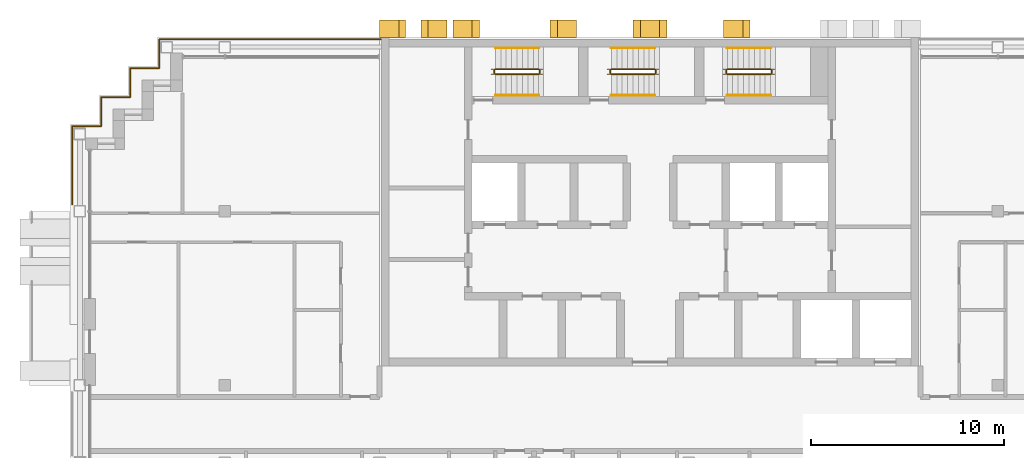
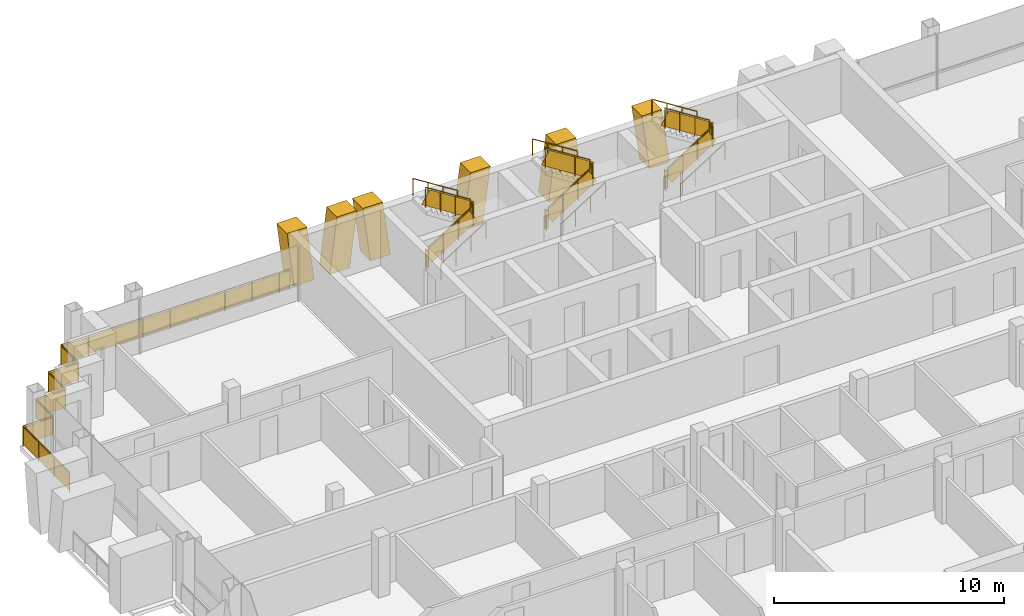
# One storey, part 14 of 15: 21 railings, 6 shading devices.
"""IFC4 building model written with IfcOpenShell, lengths in metres."""

from ifc_helpers import new_model, si_unit, direction, frame, origin, origin_2d, place, context, subcontext, project, spatial, polyline, rectangle, circle, outline, extrude, material, layer, layer_set, type_object, element, save


model = new_model("IFC4")

# Units and contexts
model_context = context("Model", 3, precision=1e-05, world=origin(), true_north=direction((0.0, 1.0)))
body_context = subcontext(model_context, "Body", "Model", "MODEL_VIEW")
ifc_project = project(units=[si_unit("LENGTHUNIT", "METRE"), si_unit("AREAUNIT", "SQUARE_METRE"), si_unit("VOLUMEUNIT", "CUBIC_METRE"), si_unit("PLANEANGLEUNIT", "RADIAN"), si_unit("MASSUNIT", "GRAM", prefix="KILO")], contexts=[model_context])

# Site, building, storey
site_placement = place(None, origin())
site = spatial("IfcSite", under=ifc_project, at=site_placement, CompositionType="ELEMENT")
building_placement = place(site_placement, origin())
building = spatial("IfcBuilding", under=site, at=building_placement, Name="Vidyagriha Tower", CompositionType="ELEMENT")
storey_placement = place(building_placement, frame((0.0, 0.0, 226.800048828125)))
storey = spatial("IfcBuildingStorey", under=building, at=storey_placement, Name="L59", CompositionType="ELEMENT", Elevation=226.800048828125)

# Shading devices
ifc_material_1 = material(Name="Precast concrete C40/50 with brick facing", Category="concrete")
ifc_layer_1 = layer(ifc_material_1, 1.0)
ifc_layer_set_1 = layer_set([ifc_layer_1], Name="Precast concrete C40/50 with brick facing")
shading_device_type_1 = type_object("IfcShadingDeviceType", Name="Brick-faced rear rib arm leaning 8 degrees", PredefinedType="USERDEFINED", material=ifc_layer_set_1)
for number, where, z_axis, x_axis, name in (
    (1, (5.185791015625, 20.449951171875, 0.0), (0.0, 0.0, 1.0), (-1.0, 0.0, 0.0), "Rear rib arm L59 R08.2a"),
    (2, (-8.814208984375, 20.449951171875, 0.0), (0.0, 0.0, 1.0), (-1.0, 0.0, 0.0), "Rear rib arm L59 R08.4a"),
):
    element("IfcShadingDevice", number, at=place(storey_placement, frame(where, z_axis=z_axis, x_axis=x_axis)), inside=storey, type_object=shading_device_type_1, Name=name, ObjectType="BLADE FIN", PredefinedType="USERDEFINED", context=body_context, shape_type="SweptSolid", body=[
        extrude(outline(polyline([(0.0, 0.0), (1.0, 0.0), (1.3857421875, 2.919921875), (0.3857421875, 2.919921875), (0.0, 0.0)])), frame((0.0, 0.449951171875, 0.0), z_axis=(0.0, -1.0, 0.0), x_axis=(1.0, 0.0, 0.0)), (0.0, 0.0, 1.0), 0.89990234375),
    ])
shading_device_1_placement = place(storey_placement, frame((-3.800048828125, 20.449951171875, 0.0), z_axis=(0.0, 0.0, 1.0), x_axis=(-1.0, 0.0, 0.0)))
element("IfcShadingDevice", 3, at=shading_device_1_placement, inside=storey, type_object=shading_device_type_1, Name="Rear rib arm L59 R08.4b", ObjectType="BLADE FIN", PredefinedType="USERDEFINED", context=body_context, shape_type="SweptSolid", body=[
    extrude(outline(polyline([(0.3857421875, 0.0), (1.3857421875, 0.0), (1.0, 2.919921875), (0.0, 2.919921875), (0.3857421875, 0.0)])), frame((0.0, 0.449951171875, 0.0), z_axis=(0.0, -1.0, 0.0), x_axis=(1.0, 0.0, 0.0)), (0.0, 0.0, 1.0), 0.89990234375),
])
shading_device_2_placement = place(storey_placement, frame((-12.642822265625, 20.449951171875, 0.0), z_axis=(0.0, 0.0, 1.0), x_axis=(-1.0, 0.0, 0.0)))
element("IfcShadingDevice", 4, at=shading_device_2_placement, inside=storey, type_object=shading_device_type_1, Name="Rear rib arm L59 R08.5a", ObjectType="BLADE FIN", PredefinedType="USERDEFINED", context=body_context, shape_type="SweptSolid", body=[
    extrude(outline(polyline([(0.0, 0.0), (1.0, 0.0), (1.357177734375, 2.919921875), (0.357177734375, 2.919921875), (0.0, 0.0)])), frame((0.0, 0.449951171875, 0.0), z_axis=(0.0, -1.0, 0.0), x_axis=(1.0, 0.0, 0.0)), (0.0, 0.0, 1.0), 0.89990234375),
])
shading_device_3_placement = place(storey_placement, frame((-10.5, 20.449951171875, 0.0), z_axis=(0.0, 0.0, 1.0), x_axis=(-1.0, 0.0, 0.0)))
element("IfcShadingDevice", 5, at=shading_device_3_placement, inside=storey, type_object=shading_device_type_1, Name="Rear rib arm L59 R08.5b", ObjectType="BLADE FIN", PredefinedType="USERDEFINED", context=body_context, shape_type="SweptSolid", body=[
    extrude(outline(polyline([(0.357177734375, 0.0), (1.357177734375, 0.0), (1.0, 2.919921875), (0.0, 2.919921875), (0.357177734375, 0.0)])), frame((0.0, 0.449951171875, 0.0), z_axis=(0.0, -1.0, 0.0), x_axis=(1.0, 0.0, 0.0)), (0.0, 0.0, 1.0), 0.89990234375),
])
ifc_material_2 = material(Name="Precast concrete C40/50 with brick facing", Category="concrete")
ifc_layer_2 = layer(ifc_material_2, 1.0)
ifc_layer_set_2 = layer_set([ifc_layer_2], Name="Precast concrete C40/50 with brick facing")
shading_device_type_2 = type_object("IfcShadingDeviceType", Name="Brick-faced rear rib forking 8 degrees", PredefinedType="USERDEFINED", material=ifc_layer_set_2)
shading_device_4_placement = place(storey_placement, frame((0.8857421875, 20.449951171875, 0.0), z_axis=(0.0, 0.0, 1.0), x_axis=(-1.0, 0.0, 0.0)))
element("IfcShadingDevice", 6, at=shading_device_4_placement, inside=storey, type_object=shading_device_type_2, Name="Rear rib fork L59 R08.3a", ObjectType="BLADE FIN", PredefinedType="USERDEFINED", context=body_context, shape_type="SweptSolid", body=[
    extrude(outline(polyline([(0.0, 0.0), (1.771484375, 0.0), (1.3857421875, 2.919921875), (0.3857421875, 2.919921875), (0.0, 0.0)])), frame((0.0, 0.449951171875, 0.0), z_axis=(0.0, -1.0, 0.0), x_axis=(1.0, 0.0, 0.0)), (0.0, 0.0, 1.0), 0.89990234375),
])

# Railings
ifc_material_3 = material(Name="Steel ASTM A500 Grade C black painted", Category="steel")
railing_type_1 = type_object("IfcRailingType", Name="Gallery guard 1100", PredefinedType="GUARDRAIL", material=ifc_material_3)
railing_1_placement = place(storey_placement, frame((-29.89990234375, 11.360107421875, 0.0)))
element("IfcRailing", 7, at=railing_1_placement, inside=storey, type_object=railing_type_1, Name="Gallery guard L59 4", PredefinedType="GUARDRAIL", context=body_context, shape_type="SweptSolid", body=[
    extrude(circle(Radius=0.02490234375, at=origin_2d()), frame((0.0, 0.0, 1.0751953125), z_axis=(0.0, 1.0, 0.0), x_axis=(-1.0, 0.0, 0.0)), (0.0, 0.0, 1.0), 4.039794921875),
    extrude(circle(Radius=0.02490234375, at=origin_2d()), frame((0.0, 4.039794921875, 1.0751953125), z_axis=(1.0, 0.0, 0.0), x_axis=(0.0, 1.0, 0.0)), (0.0, 0.0, 1.0), 1.5),
    extrude(circle(Radius=0.02490234375, at=origin_2d()), frame((1.5, 4.039794921875, 1.0751953125), z_axis=(0.0, 1.0, 0.0), x_axis=(-1.0, 0.0, 0.0)), (0.0, 0.0, 1.0), 1.5),
    extrude(circle(Radius=0.02490234375, at=origin_2d()), frame((1.5, 5.539794921875, 1.0751953125), z_axis=(1.0, 0.0, 0.0), x_axis=(0.0, 1.0, 0.0)), (0.0, 0.0, 1.0), 1.5),
    extrude(circle(Radius=0.02490234375, at=origin_2d()), frame((3.0, 5.539794921875, 1.0751953125), z_axis=(0.0, 1.0, 0.0), x_axis=(-1.0, 0.0, 0.0)), (0.0, 0.0, 1.0), 1.5),
    extrude(circle(Radius=0.02490234375, at=origin_2d()), frame((3.0, 7.039794921875, 1.0751953125), z_axis=(1.0, 0.0, 0.0), x_axis=(0.0, 1.0, 0.0)), (0.0, 0.0, 1.0), 1.5),
    extrude(circle(Radius=0.02490234375, at=origin_2d()), frame((4.5, 7.039794921875, 1.0751953125), z_axis=(0.0, 1.0, 0.0), x_axis=(-1.0, 0.0, 0.0)), (0.0, 0.0, 1.0), 0.460205078125),
    extrude(circle(Radius=0.02001953125, at=origin_2d()), origin(), (0.0, 0.0, 1.0), 1.050048828125),
    extrude(circle(Radius=0.02001953125, at=origin_2d()), frame((0.0, 1.3466796875, 0.0)), (0.0, 0.0, 1.0), 1.050048828125),
    extrude(circle(Radius=0.02001953125, at=origin_2d()), frame((0.0, 2.693115234375, 0.0)), (0.0, 0.0, 1.0), 1.050048828125),
    extrude(circle(Radius=0.02001953125, at=origin_2d()), frame((0.0, 4.039794921875, 0.0)), (0.0, 0.0, 1.0), 1.050048828125),
    extrude(circle(Radius=0.02001953125, at=origin_2d()), frame((1.5, 4.039794921875, 0.0)), (0.0, 0.0, 1.0), 1.050048828125),
    extrude(circle(Radius=0.02001953125, at=origin_2d()), frame((1.5, 5.539794921875, 0.0)), (0.0, 0.0, 1.0), 1.050048828125),
    extrude(circle(Radius=0.02001953125, at=origin_2d()), frame((3.0, 5.539794921875, 0.0)), (0.0, 0.0, 1.0), 1.050048828125),
    extrude(circle(Radius=0.02001953125, at=origin_2d()), frame((3.0, 7.039794921875, 0.0)), (0.0, 0.0, 1.0), 1.050048828125),
    extrude(circle(Radius=0.02001953125, at=origin_2d()), frame((4.5, 7.039794921875, 0.0)), (0.0, 0.0, 1.0), 1.050048828125),
    extrude(circle(Radius=0.02001953125, at=origin_2d()), frame((4.5, 7.5, 0.0)), (0.0, 0.0, 1.0), 1.050048828125),
    extrude(rectangle(XDim=0.010009765625, YDim=0.900146484375, at=origin_2d()), frame((0.0, 0.0, 0.550048828125), z_axis=(0.0, 1.0, 0.0), x_axis=(-1.0, 0.0, 0.0)), (0.0, 0.0, 1.0), 4.039794921875),
    extrude(rectangle(XDim=0.010009765625, YDim=0.900146484375, at=origin_2d()), frame((0.0, 4.039794921875, 0.550048828125), z_axis=(1.0, 0.0, 0.0), x_axis=(0.0, 1.0, 0.0)), (0.0, 0.0, 1.0), 1.5),
    extrude(rectangle(XDim=0.010009765625, YDim=0.900146484375, at=origin_2d()), frame((1.5, 4.039794921875, 0.550048828125), z_axis=(0.0, 1.0, 0.0), x_axis=(-1.0, 0.0, 0.0)), (0.0, 0.0, 1.0), 1.5),
    extrude(rectangle(XDim=0.010009765625, YDim=0.900146484375, at=origin_2d()), frame((1.5, 5.539794921875, 0.550048828125), z_axis=(1.0, 0.0, 0.0), x_axis=(0.0, 1.0, 0.0)), (0.0, 0.0, 1.0), 1.5),
    extrude(rectangle(XDim=0.010009765625, YDim=0.900146484375, at=origin_2d()), frame((3.0, 5.539794921875, 0.550048828125), z_axis=(0.0, 1.0, 0.0), x_axis=(-1.0, 0.0, 0.0)), (0.0, 0.0, 1.0), 1.5),
    extrude(rectangle(XDim=0.010009765625, YDim=0.900146484375, at=origin_2d()), frame((3.0, 7.039794921875, 0.550048828125), z_axis=(1.0, 0.0, 0.0), x_axis=(0.0, 1.0, 0.0)), (0.0, 0.0, 1.0), 1.5),
    extrude(rectangle(XDim=0.010009765625, YDim=0.900146484375, at=origin_2d()), frame((4.5, 7.039794921875, 0.550048828125), z_axis=(0.0, 1.0, 0.0), x_axis=(-1.0, 0.0, 0.0)), (0.0, 0.0, 1.0), 0.460205078125),
])
railing_2_placement = place(storey_placement, frame((-25.39990234375, 18.860107421875, 0.0)))
element("IfcRailing", 8, at=railing_2_placement, inside=storey, type_object=railing_type_1, Name="Gallery guard L59 5", PredefinedType="GUARDRAIL", context=body_context, shape_type="SweptSolid", body=[
    extrude(circle(Radius=0.02490234375, at=origin_2d()), frame((0.0, 0.0, 1.0751953125), z_axis=(0.0, 1.0, 0.0), x_axis=(-1.0, 0.0, 0.0)), (0.0, 0.0, 1.0), 1.039794921875),
    extrude(circle(Radius=0.02490234375, at=origin_2d()), frame((0.0, 1.039794921875, 1.0751953125), z_axis=(1.0, 0.0, 0.0), x_axis=(0.0, 1.0, 0.0)), (0.0, 0.0, 1.0), 10.9599609375),
    extrude(circle(Radius=0.02001953125, at=origin_2d()), origin(), (0.0, 0.0, 1.0), 1.050048828125),
    extrude(circle(Radius=0.02001953125, at=origin_2d()), frame((0.0, 1.039794921875, 0.0)), (0.0, 0.0, 1.0), 1.050048828125),
    extrude(circle(Radius=0.02001953125, at=origin_2d()), frame((1.3701171875, 1.039794921875, 0.0)), (0.0, 0.0, 1.0), 1.050048828125),
    extrude(circle(Radius=0.02001953125, at=origin_2d()), frame((2.739990234375, 1.039794921875, 0.0)), (0.0, 0.0, 1.0), 1.050048828125),
    extrude(circle(Radius=0.02001953125, at=origin_2d()), frame((4.10986328125, 1.039794921875, 0.0)), (0.0, 0.0, 1.0), 1.050048828125),
    extrude(circle(Radius=0.02001953125, at=origin_2d()), frame((5.47998046875, 1.039794921875, 0.0)), (0.0, 0.0, 1.0), 1.050048828125),
    extrude(circle(Radius=0.02001953125, at=origin_2d()), frame((6.85009765625, 1.039794921875, 0.0)), (0.0, 0.0, 1.0), 1.050048828125),
    extrude(circle(Radius=0.02001953125, at=origin_2d()), frame((8.219970703125, 1.039794921875, 0.0)), (0.0, 0.0, 1.0), 1.050048828125),
    extrude(circle(Radius=0.02001953125, at=origin_2d()), frame((9.58984375, 1.039794921875, 0.0)), (0.0, 0.0, 1.0), 1.050048828125),
    extrude(circle(Radius=0.02001953125, at=origin_2d()), frame((10.9599609375, 1.039794921875, 0.0)), (0.0, 0.0, 1.0), 1.050048828125),
    extrude(rectangle(XDim=0.010009765625, YDim=0.900146484375, at=origin_2d()), frame((0.0, 0.0, 0.550048828125), z_axis=(0.0, 1.0, 0.0), x_axis=(-1.0, 0.0, 0.0)), (0.0, 0.0, 1.0), 1.039794921875),
    extrude(rectangle(XDim=0.010009765625, YDim=0.900146484375, at=origin_2d()), frame((0.0, 1.039794921875, 0.550048828125), z_axis=(1.0, 0.0, 0.0), x_axis=(0.0, 1.0, 0.0)), (0.0, 0.0, 1.0), 10.9599609375),
])
railing_3_placement = place(storey_placement, frame((-14.43994140625, 19.89990234375, 0.0)))
element("IfcRailing", 9, at=railing_3_placement, inside=storey, type_object=railing_type_1, Name="Gallery guard L59 6", PredefinedType="GUARDRAIL", context=body_context, shape_type="SweptSolid", body=[
    extrude(circle(Radius=0.02490234375, at=origin_2d()), frame((0.0, 0.0, 1.0751953125), z_axis=(1.0, 0.0, 0.0), x_axis=(0.0, 1.0, 0.0)), (0.0, 0.0, 1.0), 0.510009765625),
    extrude(circle(Radius=0.02001953125, at=origin_2d()), origin(), (0.0, 0.0, 1.0), 1.050048828125),
    extrude(circle(Radius=0.02001953125, at=origin_2d()), frame((0.510009765625, 0.0, 0.0)), (0.0, 0.0, 1.0), 1.050048828125),
    extrude(rectangle(XDim=0.010009765625, YDim=0.900146484375, at=origin_2d()), frame((0.0, 0.0, 0.550048828125), z_axis=(1.0, 0.0, 0.0), x_axis=(0.0, 1.0, 0.0)), (0.0, 0.0, 1.0), 0.510009765625),
])
ifc_material_4 = material(Name="Steel ASTM A500 Grade C", Category="steel")
railing_type_2 = type_object("IfcRailingType", Name="Stair guard 1100 mm, steel balustrade", PredefinedType="GUARDRAIL", material=ifc_material_4)
railing_4_placement = place(storey_placement, frame((-8.0, 18.10009765625, 0.177734375)))
element("IfcRailing", 10, at=railing_4_placement, inside=storey, type_object=railing_type_2, Name="L59 ST1 stair guard 1", PredefinedType="GUARDRAIL", context=body_context, shape_type="SweptSolid", body=[
    extrude(circle(Radius=0.02392578125, at=origin_2d()), frame((0.0, 0.0, 1.076171875), z_axis=(0.8442293374, 0.0, 0.53598211339), x_axis=(0.0, 1.0, 0.0)), (0.0, 0.0, 1.0), 2.6533203125),
    extrude(circle(Radius=0.02099609375, at=origin_2d()), origin(), (0.0, 0.0, 1.0), 1.052001953125),
    extrude(circle(Radius=0.02099609375, at=origin_2d()), frame((0.74658203125, 0.0, 0.47412109375)), (0.0, 0.0, 1.0), 1.052001953125),
    extrude(circle(Radius=0.02099609375, at=origin_2d()), frame((1.493408203125, 0.0, 0.947998046875)), (0.0, 0.0, 1.0), 1.052001953125),
    extrude(circle(Radius=0.02099609375, at=origin_2d()), frame((2.239990234375, 0.0, 1.422119140625)), (0.0, 0.0, 1.0), 1.052001953125),
    extrude(rectangle(XDim=0.010009765625, YDim=0.761474609375, at=origin_2d()), frame((0.0, 0.0, 0.551025390625), z_axis=(0.8442293374, 0.0, 0.53598211339), x_axis=(0.0, 1.0, 0.0)), (0.0, 0.0, 1.0), 2.6533203125),
])
railing_5_placement = place(storey_placement, frame((-5.7099609375, 18.14990234375, 1.599853515625)))
element("IfcRailing", 11, at=railing_5_placement, inside=storey, type_object=railing_type_2, Name="L59 ST1 stair guard 2", PredefinedType="GUARDRAIL", context=body_context, shape_type="SweptSolid", body=[
    extrude(circle(Radius=0.02392578125, at=origin_2d()), frame((0.0, 0.0, 1.076171875), z_axis=(0.0, 1.0, 0.0), x_axis=(-1.0, 0.0, 0.0)), (0.0, 0.0, 1.0), 0.150146484375),
    extrude(circle(Radius=0.02099609375, at=origin_2d()), origin(), (0.0, 0.0, 1.0), 1.052001953125),
    extrude(circle(Radius=0.02099609375, at=origin_2d()), frame((0.0, 0.150146484375, 0.0)), (0.0, 0.0, 1.0), 1.052001953125),
    extrude(rectangle(XDim=0.010009765625, YDim=0.902099609375, at=origin_2d()), frame((0.0, 0.0, 0.551025390625), z_axis=(0.0, 1.0, 0.0), x_axis=(-1.0, 0.0, 0.0)), (0.0, 0.0, 1.0), 0.150146484375),
])
railing_6_placement = place(storey_placement, frame((-5.760009765625, 18.35009765625, 1.77783203125)))
element("IfcRailing", 12, at=railing_6_placement, inside=storey, type_object=railing_type_2, Name="L59 ST1 stair guard 3", PredefinedType="GUARDRAIL", context=body_context, shape_type="SweptSolid", body=[
    extrude(circle(Radius=0.02392578125, at=origin_2d()), frame((0.0, 0.0, 1.076171875), z_axis=(-0.8442293374, 0.0, 0.53598211339), x_axis=(0.0, -1.0, 0.0)), (0.0, 0.0, 1.0), 2.6533203125),
    extrude(circle(Radius=0.02099609375, at=origin_2d()), origin(), (0.0, 0.0, 1.0), 1.052001953125),
    extrude(circle(Radius=0.02099609375, at=origin_2d()), frame((-0.74658203125, 0.0, 0.47412109375)), (0.0, 0.0, 1.0), 1.052001953125),
    extrude(circle(Radius=0.02099609375, at=origin_2d()), frame((-1.493408203125, 0.0, 0.947998046875)), (0.0, 0.0, 1.0), 1.052001953125),
    extrude(circle(Radius=0.02099609375, at=origin_2d()), frame((-2.239990234375, 0.0, 1.422119140625)), (0.0, 0.0, 1.0), 1.052001953125),
    extrude(rectangle(XDim=0.010009765625, YDim=0.761474609375, at=origin_2d()), frame((0.0, 0.0, 0.551025390625), z_axis=(-0.8442293374, 0.0, 0.53598211339), x_axis=(0.0, -1.0, 0.0)), (0.0, 0.0, 1.0), 2.6533203125),
])
railing_7_placement = place(storey_placement, frame((-8.050048828125, 18.14990234375, 0.0)))
element("IfcRailing", 13, at=railing_7_placement, inside=storey, type_object=railing_type_2, Name="L59 ST1 stair guard 4", PredefinedType="GUARDRAIL", context=body_context, shape_type="SweptSolid", body=[
    extrude(circle(Radius=0.02392578125, at=origin_2d()), frame((0.0, 0.0, 1.076171875), z_axis=(0.0, 1.0, 0.0), x_axis=(-1.0, 0.0, 0.0)), (0.0, 0.0, 1.0), 0.150146484375),
    extrude(circle(Radius=0.02099609375, at=origin_2d()), origin(), (0.0, 0.0, 1.0), 1.052001953125),
    extrude(circle(Radius=0.02099609375, at=origin_2d()), frame((0.0, 0.150146484375, 0.0)), (0.0, 0.0, 1.0), 1.052001953125),
    extrude(rectangle(XDim=0.010009765625, YDim=0.902099609375, at=origin_2d()), frame((0.0, 0.0, 0.551025390625), z_axis=(0.0, 1.0, 0.0), x_axis=(-1.0, 0.0, 0.0)), (0.0, 0.0, 1.0), 0.150146484375),
])
railing_8_placement = place(storey_placement, frame((-2.0, 18.10009765625, 0.177734375)))
element("IfcRailing", 14, at=railing_8_placement, inside=storey, type_object=railing_type_2, Name="L59 ST2 stair guard 1", PredefinedType="GUARDRAIL", context=body_context, shape_type="SweptSolid", body=[
    extrude(circle(Radius=0.02392578125, at=origin_2d()), frame((0.0, 0.0, 1.076171875), z_axis=(0.8442293374, 0.0, 0.53598211339), x_axis=(0.0, 1.0, 0.0)), (0.0, 0.0, 1.0), 2.6533203125),
    extrude(circle(Radius=0.02099609375, at=origin_2d()), origin(), (0.0, 0.0, 1.0), 1.052001953125),
    extrude(circle(Radius=0.02099609375, at=origin_2d()), frame((0.74658203125, 0.0, 0.47412109375)), (0.0, 0.0, 1.0), 1.052001953125),
    extrude(circle(Radius=0.02099609375, at=origin_2d()), frame((1.493408203125, 0.0, 0.947998046875)), (0.0, 0.0, 1.0), 1.052001953125),
    extrude(circle(Radius=0.02099609375, at=origin_2d()), frame((2.239990234375, 0.0, 1.422119140625)), (0.0, 0.0, 1.0), 1.052001953125),
    extrude(rectangle(XDim=0.010009765625, YDim=0.761474609375, at=origin_2d()), frame((0.0, 0.0, 0.551025390625), z_axis=(0.8442293374, 0.0, 0.53598211339), x_axis=(0.0, 1.0, 0.0)), (0.0, 0.0, 1.0), 2.6533203125),
])
railing_9_placement = place(storey_placement, frame((0.2900390625, 18.14990234375, 1.599853515625)))
element("IfcRailing", 15, at=railing_9_placement, inside=storey, type_object=railing_type_2, Name="L59 ST2 stair guard 2", PredefinedType="GUARDRAIL", context=body_context, shape_type="SweptSolid", body=[
    extrude(circle(Radius=0.02392578125, at=origin_2d()), frame((0.0, 0.0, 1.076171875), z_axis=(0.0, 1.0, 0.0), x_axis=(-1.0, 0.0, 0.0)), (0.0, 0.0, 1.0), 0.150146484375),
    extrude(circle(Radius=0.02099609375, at=origin_2d()), origin(), (0.0, 0.0, 1.0), 1.052001953125),
    extrude(circle(Radius=0.02099609375, at=origin_2d()), frame((0.0, 0.150146484375, 0.0)), (0.0, 0.0, 1.0), 1.052001953125),
    extrude(rectangle(XDim=0.010009765625, YDim=0.902099609375, at=origin_2d()), frame((0.0, 0.0, 0.551025390625), z_axis=(0.0, 1.0, 0.0), x_axis=(-1.0, 0.0, 0.0)), (0.0, 0.0, 1.0), 0.150146484375),
])
railing_10_placement = place(storey_placement, frame((0.239990234375, 18.35009765625, 1.77783203125)))
element("IfcRailing", 16, at=railing_10_placement, inside=storey, type_object=railing_type_2, Name="L59 ST2 stair guard 3", PredefinedType="GUARDRAIL", context=body_context, shape_type="SweptSolid", body=[
    extrude(circle(Radius=0.02392578125, at=origin_2d()), frame((0.0, 0.0, 1.076171875), z_axis=(-0.8442293374, 0.0, 0.53598211339), x_axis=(0.0, -1.0, 0.0)), (0.0, 0.0, 1.0), 2.6533203125),
    extrude(circle(Radius=0.02099609375, at=origin_2d()), origin(), (0.0, 0.0, 1.0), 1.052001953125),
    extrude(circle(Radius=0.02099609375, at=origin_2d()), frame((-0.74658203125, 0.0, 0.47412109375)), (0.0, 0.0, 1.0), 1.052001953125),
    extrude(circle(Radius=0.02099609375, at=origin_2d()), frame((-1.493408203125, 0.0, 0.947998046875)), (0.0, 0.0, 1.0), 1.052001953125),
    extrude(circle(Radius=0.02099609375, at=origin_2d()), frame((-2.239990234375, 0.0, 1.422119140625)), (0.0, 0.0, 1.0), 1.052001953125),
    extrude(rectangle(XDim=0.010009765625, YDim=0.761474609375, at=origin_2d()), frame((0.0, 0.0, 0.551025390625), z_axis=(-0.8442293374, 0.0, 0.53598211339), x_axis=(0.0, -1.0, 0.0)), (0.0, 0.0, 1.0), 2.6533203125),
])
railing_11_placement = place(storey_placement, frame((-2.050048828125, 18.14990234375, 0.0)))
element("IfcRailing", 17, at=railing_11_placement, inside=storey, type_object=railing_type_2, Name="L59 ST2 stair guard 4", PredefinedType="GUARDRAIL", context=body_context, shape_type="SweptSolid", body=[
    extrude(circle(Radius=0.02392578125, at=origin_2d()), frame((0.0, 0.0, 1.076171875), z_axis=(0.0, 1.0, 0.0), x_axis=(-1.0, 0.0, 0.0)), (0.0, 0.0, 1.0), 0.150146484375),
    extrude(circle(Radius=0.02099609375, at=origin_2d()), origin(), (0.0, 0.0, 1.0), 1.052001953125),
    extrude(circle(Radius=0.02099609375, at=origin_2d()), frame((0.0, 0.150146484375, 0.0)), (0.0, 0.0, 1.0), 1.052001953125),
    extrude(rectangle(XDim=0.010009765625, YDim=0.902099609375, at=origin_2d()), frame((0.0, 0.0, 0.551025390625), z_axis=(0.0, 1.0, 0.0), x_axis=(-1.0, 0.0, 0.0)), (0.0, 0.0, 1.0), 0.150146484375),
])
railing_12_placement = place(storey_placement, frame((4.0, 18.10009765625, 0.177734375)))
element("IfcRailing", 18, at=railing_12_placement, inside=storey, type_object=railing_type_2, Name="L59 ST3 stair guard 1", PredefinedType="GUARDRAIL", context=body_context, shape_type="SweptSolid", body=[
    extrude(circle(Radius=0.02392578125, at=origin_2d()), frame((0.0, 0.0, 1.076171875), z_axis=(0.8442293374, 0.0, 0.53598211339), x_axis=(0.0, 1.0, 0.0)), (0.0, 0.0, 1.0), 2.6533203125),
    extrude(circle(Radius=0.02099609375, at=origin_2d()), origin(), (0.0, 0.0, 1.0), 1.052001953125),
    extrude(circle(Radius=0.02099609375, at=origin_2d()), frame((0.74658203125, 0.0, 0.47412109375)), (0.0, 0.0, 1.0), 1.052001953125),
    extrude(circle(Radius=0.02099609375, at=origin_2d()), frame((1.493408203125, 0.0, 0.947998046875)), (0.0, 0.0, 1.0), 1.052001953125),
    extrude(circle(Radius=0.02099609375, at=origin_2d()), frame((2.239990234375, 0.0, 1.422119140625)), (0.0, 0.0, 1.0), 1.052001953125),
    extrude(rectangle(XDim=0.010009765625, YDim=0.761474609375, at=origin_2d()), frame((0.0, 0.0, 0.551025390625), z_axis=(0.8442293374, 0.0, 0.53598211339), x_axis=(0.0, 1.0, 0.0)), (0.0, 0.0, 1.0), 2.6533203125),
])
railing_13_placement = place(storey_placement, frame((6.2900390625, 18.14990234375, 1.599853515625)))
element("IfcRailing", 19, at=railing_13_placement, inside=storey, type_object=railing_type_2, Name="L59 ST3 stair guard 2", PredefinedType="GUARDRAIL", context=body_context, shape_type="SweptSolid", body=[
    extrude(circle(Radius=0.02392578125, at=origin_2d()), frame((0.0, 0.0, 1.076171875), z_axis=(0.0, 1.0, 0.0), x_axis=(-1.0, 0.0, 0.0)), (0.0, 0.0, 1.0), 0.150146484375),
    extrude(circle(Radius=0.02099609375, at=origin_2d()), origin(), (0.0, 0.0, 1.0), 1.052001953125),
    extrude(circle(Radius=0.02099609375, at=origin_2d()), frame((0.0, 0.150146484375, 0.0)), (0.0, 0.0, 1.0), 1.052001953125),
    extrude(rectangle(XDim=0.010009765625, YDim=0.902099609375, at=origin_2d()), frame((0.0, 0.0, 0.551025390625), z_axis=(0.0, 1.0, 0.0), x_axis=(-1.0, 0.0, 0.0)), (0.0, 0.0, 1.0), 0.150146484375),
])
railing_14_placement = place(storey_placement, frame((6.239990234375, 18.35009765625, 1.77783203125)))
element("IfcRailing", 20, at=railing_14_placement, inside=storey, type_object=railing_type_2, Name="L59 ST3 stair guard 3", PredefinedType="GUARDRAIL", context=body_context, shape_type="SweptSolid", body=[
    extrude(circle(Radius=0.02392578125, at=origin_2d()), frame((0.0, 0.0, 1.076171875), z_axis=(-0.8442293374, 0.0, 0.53598211339), x_axis=(0.0, -1.0, 0.0)), (0.0, 0.0, 1.0), 2.6533203125),
    extrude(circle(Radius=0.02099609375, at=origin_2d()), origin(), (0.0, 0.0, 1.0), 1.052001953125),
    extrude(circle(Radius=0.02099609375, at=origin_2d()), frame((-0.74658203125, 0.0, 0.47412109375)), (0.0, 0.0, 1.0), 1.052001953125),
    extrude(circle(Radius=0.02099609375, at=origin_2d()), frame((-1.493408203125, 0.0, 0.947998046875)), (0.0, 0.0, 1.0), 1.052001953125),
    extrude(circle(Radius=0.02099609375, at=origin_2d()), frame((-2.239990234375, 0.0, 1.422119140625)), (0.0, 0.0, 1.0), 1.052001953125),
    extrude(rectangle(XDim=0.010009765625, YDim=0.761474609375, at=origin_2d()), frame((0.0, 0.0, 0.551025390625), z_axis=(-0.8442293374, 0.0, 0.53598211339), x_axis=(0.0, -1.0, 0.0)), (0.0, 0.0, 1.0), 2.6533203125),
])
railing_15_placement = place(storey_placement, frame((3.949951171875, 18.14990234375, 0.0)))
element("IfcRailing", 21, at=railing_15_placement, inside=storey, type_object=railing_type_2, Name="L59 ST3 stair guard 4", PredefinedType="GUARDRAIL", context=body_context, shape_type="SweptSolid", body=[
    extrude(circle(Radius=0.02392578125, at=origin_2d()), frame((0.0, 0.0, 1.076171875), z_axis=(0.0, 1.0, 0.0), x_axis=(-1.0, 0.0, 0.0)), (0.0, 0.0, 1.0), 0.150146484375),
    extrude(circle(Radius=0.02099609375, at=origin_2d()), origin(), (0.0, 0.0, 1.0), 1.052001953125),
    extrude(circle(Radius=0.02099609375, at=origin_2d()), frame((0.0, 0.150146484375, 0.0)), (0.0, 0.0, 1.0), 1.052001953125),
    extrude(rectangle(XDim=0.010009765625, YDim=0.902099609375, at=origin_2d()), frame((0.0, 0.0, 0.551025390625), z_axis=(0.0, 1.0, 0.0), x_axis=(-1.0, 0.0, 0.0)), (0.0, 0.0, 1.0), 0.150146484375),
])
ifc_material_5 = material(Name="Steel ASTM A500 Grade C", Category="steel")
railing_type_3 = type_object("IfcRailingType", Name="Stair handrail 900 mm, steel", PredefinedType="HANDRAIL", material=ifc_material_5)
railing_16_placement = place(storey_placement, frame((-8.0, 17.0, 0.177734375)))
element("IfcRailing", 22, at=railing_16_placement, inside=storey, type_object=railing_type_3, Name="L59 ST1 stair handrail 1", PredefinedType="HANDRAIL", context=body_context, shape_type="SweptSolid", body=[
    extrude(circle(Radius=0.02392578125, at=origin_2d()), frame((0.0, 0.0, 0.8759765625), z_axis=(0.8442293374, 0.0, 0.53598211339), x_axis=(0.0, 1.0, 0.0)), (0.0, 0.0, 1.0), 2.6533203125),
    extrude(circle(Radius=0.02099609375, at=origin_2d()), origin(), (0.0, 0.0, 1.0), 0.851806640625),
    extrude(circle(Radius=0.02099609375, at=origin_2d()), frame((0.74658203125, 0.0, 0.47412109375)), (0.0, 0.0, 1.0), 0.851806640625),
    extrude(circle(Radius=0.02099609375, at=origin_2d()), frame((1.493408203125, 0.0, 0.947998046875)), (0.0, 0.0, 1.0), 0.851806640625),
    extrude(circle(Radius=0.02099609375, at=origin_2d()), frame((2.239990234375, 0.0, 1.422119140625)), (0.0, 0.0, 1.0), 0.851806640625),
])
railing_17_placement = place(storey_placement, frame((-5.760009765625, 19.449951171875, 1.77783203125)))
element("IfcRailing", 23, at=railing_17_placement, inside=storey, type_object=railing_type_3, Name="L59 ST1 stair handrail 2", PredefinedType="HANDRAIL", context=body_context, shape_type="SweptSolid", body=[
    extrude(circle(Radius=0.02392578125, at=origin_2d()), frame((0.0, 0.0, 0.8759765625), z_axis=(-0.8442293374, 0.0, 0.53598211339), x_axis=(0.0, -1.0, 0.0)), (0.0, 0.0, 1.0), 2.6533203125),
    extrude(circle(Radius=0.02099609375, at=origin_2d()), origin(), (0.0, 0.0, 1.0), 0.851806640625),
    extrude(circle(Radius=0.02099609375, at=origin_2d()), frame((-0.74658203125, 0.0, 0.47412109375)), (0.0, 0.0, 1.0), 0.851806640625),
    extrude(circle(Radius=0.02099609375, at=origin_2d()), frame((-1.493408203125, 0.0, 0.947998046875)), (0.0, 0.0, 1.0), 0.851806640625),
    extrude(circle(Radius=0.02099609375, at=origin_2d()), frame((-2.239990234375, 0.0, 1.422119140625)), (0.0, 0.0, 1.0), 0.851806640625),
])
railing_18_placement = place(storey_placement, frame((-2.0, 17.0, 0.177734375)))
element("IfcRailing", 24, at=railing_18_placement, inside=storey, type_object=railing_type_3, Name="L59 ST2 stair handrail 1", PredefinedType="HANDRAIL", context=body_context, shape_type="SweptSolid", body=[
    extrude(circle(Radius=0.02392578125, at=origin_2d()), frame((0.0, 0.0, 0.8759765625), z_axis=(0.8442293374, 0.0, 0.53598211339), x_axis=(0.0, 1.0, 0.0)), (0.0, 0.0, 1.0), 2.6533203125),
    extrude(circle(Radius=0.02099609375, at=origin_2d()), origin(), (0.0, 0.0, 1.0), 0.851806640625),
    extrude(circle(Radius=0.02099609375, at=origin_2d()), frame((0.74658203125, 0.0, 0.47412109375)), (0.0, 0.0, 1.0), 0.851806640625),
    extrude(circle(Radius=0.02099609375, at=origin_2d()), frame((1.493408203125, 0.0, 0.947998046875)), (0.0, 0.0, 1.0), 0.851806640625),
    extrude(circle(Radius=0.02099609375, at=origin_2d()), frame((2.239990234375, 0.0, 1.422119140625)), (0.0, 0.0, 1.0), 0.851806640625),
])
railing_19_placement = place(storey_placement, frame((0.239990234375, 19.449951171875, 1.77783203125)))
element("IfcRailing", 25, at=railing_19_placement, inside=storey, type_object=railing_type_3, Name="L59 ST2 stair handrail 2", PredefinedType="HANDRAIL", context=body_context, shape_type="SweptSolid", body=[
    extrude(circle(Radius=0.02392578125, at=origin_2d()), frame((0.0, 0.0, 0.8759765625), z_axis=(-0.8442293374, 0.0, 0.53598211339), x_axis=(0.0, -1.0, 0.0)), (0.0, 0.0, 1.0), 2.6533203125),
    extrude(circle(Radius=0.02099609375, at=origin_2d()), origin(), (0.0, 0.0, 1.0), 0.851806640625),
    extrude(circle(Radius=0.02099609375, at=origin_2d()), frame((-0.74658203125, 0.0, 0.47412109375)), (0.0, 0.0, 1.0), 0.851806640625),
    extrude(circle(Radius=0.02099609375, at=origin_2d()), frame((-1.493408203125, 0.0, 0.947998046875)), (0.0, 0.0, 1.0), 0.851806640625),
    extrude(circle(Radius=0.02099609375, at=origin_2d()), frame((-2.239990234375, 0.0, 1.422119140625)), (0.0, 0.0, 1.0), 0.851806640625),
])
railing_20_placement = place(storey_placement, frame((4.0, 17.0, 0.177734375)))
element("IfcRailing", 26, at=railing_20_placement, inside=storey, type_object=railing_type_3, Name="L59 ST3 stair handrail 1", PredefinedType="HANDRAIL", context=body_context, shape_type="SweptSolid", body=[
    extrude(circle(Radius=0.02392578125, at=origin_2d()), frame((0.0, 0.0, 0.8759765625), z_axis=(0.8442293374, 0.0, 0.53598211339), x_axis=(0.0, 1.0, 0.0)), (0.0, 0.0, 1.0), 2.6533203125),
    extrude(circle(Radius=0.02099609375, at=origin_2d()), origin(), (0.0, 0.0, 1.0), 0.851806640625),
    extrude(circle(Radius=0.02099609375, at=origin_2d()), frame((0.74658203125, 0.0, 0.47412109375)), (0.0, 0.0, 1.0), 0.851806640625),
    extrude(circle(Radius=0.02099609375, at=origin_2d()), frame((1.493408203125, 0.0, 0.947998046875)), (0.0, 0.0, 1.0), 0.851806640625),
    extrude(circle(Radius=0.02099609375, at=origin_2d()), frame((2.239990234375, 0.0, 1.422119140625)), (0.0, 0.0, 1.0), 0.851806640625),
])
railing_21_placement = place(storey_placement, frame((6.239990234375, 19.449951171875, 1.77783203125)))
element("IfcRailing", 27, at=railing_21_placement, inside=storey, type_object=railing_type_3, Name="L59 ST3 stair handrail 2", PredefinedType="HANDRAIL", context=body_context, shape_type="SweptSolid", body=[
    extrude(circle(Radius=0.02392578125, at=origin_2d()), frame((0.0, 0.0, 0.8759765625), z_axis=(-0.8442293374, 0.0, 0.53598211339), x_axis=(0.0, -1.0, 0.0)), (0.0, 0.0, 1.0), 2.6533203125),
    extrude(circle(Radius=0.02099609375, at=origin_2d()), origin(), (0.0, 0.0, 1.0), 0.851806640625),
    extrude(circle(Radius=0.02099609375, at=origin_2d()), frame((-0.74658203125, 0.0, 0.47412109375)), (0.0, 0.0, 1.0), 0.851806640625),
    extrude(circle(Radius=0.02099609375, at=origin_2d()), frame((-1.493408203125, 0.0, 0.947998046875)), (0.0, 0.0, 1.0), 0.851806640625),
    extrude(circle(Radius=0.02099609375, at=origin_2d()), frame((-2.239990234375, 0.0, 1.422119140625)), (0.0, 0.0, 1.0), 0.851806640625),
])

save(model, "model.ifc")
